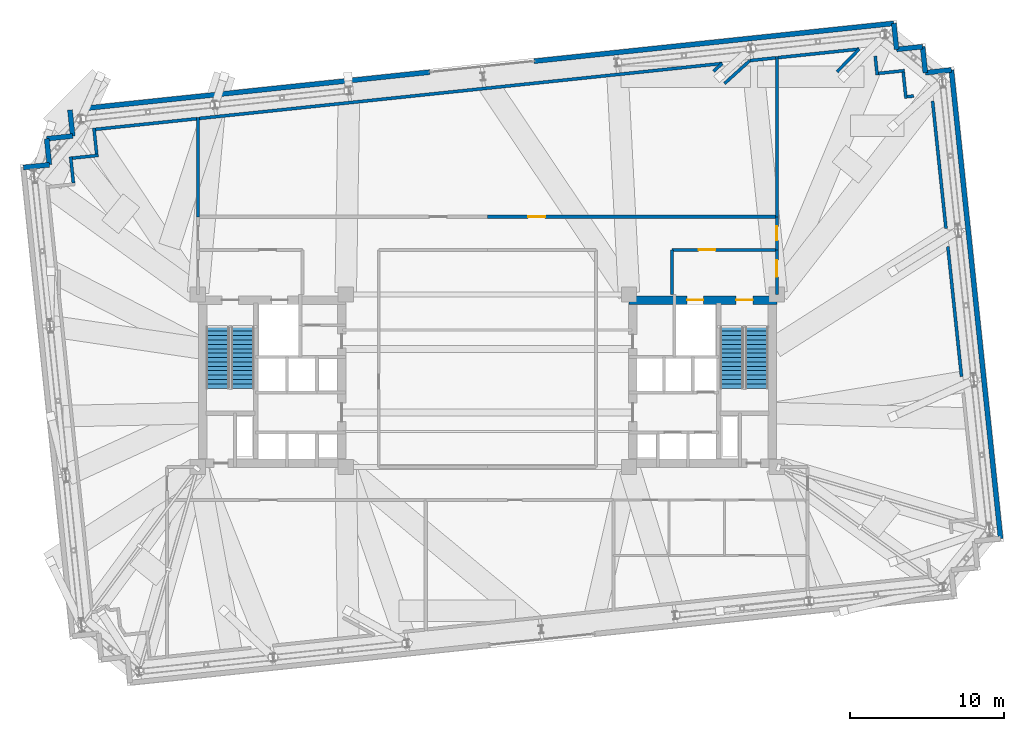
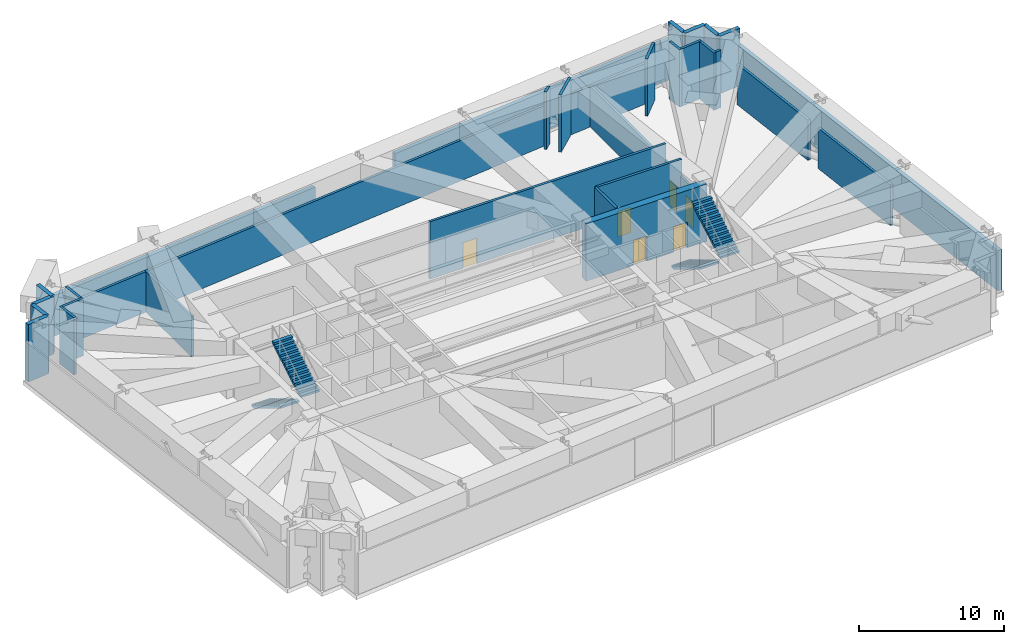
# One storey, part 21 of 23: 35 walls, 6 doors, 4 stair flights, 6 openings, 2 elements without a shape of their own.
"""IFC4 building model written with IfcOpenShell, lengths in metres."""

import ifcopenshell
import ifcopenshell.guid

model = None  # the IFC model being written
_history = None  # IfcOwnerHistory: only IFC2X3 demands one
_inside = {}  # id of a spatial element -> (the spatial element, [elements in it])
_under = {}  # id of a project, library or spatial element -> (it, [spatial elements below it])
_declared = {}  # id of a project -> (the project, [libraries it declares])
_typed = {}  # id of a type object -> (the type object, [elements of that type])
_made_of = {}  # id of a material, layer set ... -> (it, [elements and type objects made of it])


def new_model(schema):
    """Start an empty IFC model of exactly this schema.

    Asked for "IFC4X3", IfcOpenShell would pick the latest addendum, in which some entities
    have other attributes; the version numbers below select the first issue.
    IFC2X3 requires an IfcOwnerHistory on every rooted entity: one is made here for all.
    """
    global model, _history
    if schema == "IFC4X3":
        model = ifcopenshell.file(schema_version=(4, 3, 0, 0))
    else:
        model = ifcopenshell.file(schema=schema)
    _inside.clear()
    _under.clear()
    _declared.clear()
    _typed.clear()
    _made_of.clear()
    _history = None
    if model.schema == "IFC2X3":
        org = make("IfcOrganization", Name="unknown")
        user = make(
            "IfcPersonAndOrganization",
            ThePerson=make("IfcPerson", FamilyName="unknown"),
            TheOrganization=org,
        )
        app = make(
            "IfcApplication",
            ApplicationDeveloper=org,
            Version="unknown",
            ApplicationFullName="unknown",
            ApplicationIdentifier="unknown",
        )
        _history = make(
            "IfcOwnerHistory",
            OwningUser=user,
            OwningApplication=app,
            ChangeAction="ADDED",
            CreationDate=0,
        )
    return model


def make(cls, **values):
    """One entity of the class cls with the attributes given. An attribute that is None is left unset."""
    return model.create_entity(
        cls, **{name: value for name, value in values.items() if value is not None}
    )


def rooted(cls, **values):
    """An entity with a GlobalId (a new one), such as an element, a storey or a relation."""
    return make(cls, GlobalId=ifcopenshell.guid.new(), OwnerHistory=_history, **values)


def si_unit(unit_type, name, prefix=None):
    """IfcSIUnit, for example si_unit("LENGTHUNIT", "METRE", prefix="MILLI")."""
    return make("IfcSIUnit", UnitType=unit_type, Prefix=prefix, Name=name)


def assignment(units):
    """IfcUnitAssignment: the units of a project."""
    return None if units is None else make("IfcUnitAssignment", Units=units)


def point(xyz):
    """IfcCartesianPoint."""
    return None if xyz is None else make("IfcCartesianPoint", Coordinates=xyz)


def direction(xyz):
    """IfcDirection."""
    return None if xyz is None else make("IfcDirection", DirectionRatios=xyz)


def frame(location, z_axis=None, x_axis=None):
    """IfcAxis2Placement3D, a coordinate frame: its origin and axes. An axis left out is left unset."""
    return make(
        "IfcAxis2Placement3D",
        Location=point(location),
        Axis=direction(z_axis),
        RefDirection=direction(x_axis),
    )


def frame_2d(location, x_axis=None):
    """IfcAxis2Placement2D, a coordinate frame in the plane: its origin and x axis."""
    return make(
        "IfcAxis2Placement2D", Location=point(location), RefDirection=direction(x_axis)
    )


def origin():
    """The frame at (0, 0, 0) with its axes left unset."""
    return frame((0.0, 0.0, 0.0))


def place(relative_to, where):
    """IfcLocalPlacement: puts the frame where relative to a parent placement (None: the world)."""
    return make(
        "IfcLocalPlacement", PlacementRelTo=relative_to, RelativePlacement=where
    )


def context(
    kind, dimensions, precision=None, world=None, true_north=None, identifier=None
):
    """IfcGeometricRepresentationContext, for example the 3D "Model" context."""
    return make(
        "IfcGeometricRepresentationContext",
        ContextIdentifier=identifier,
        ContextType=kind,
        CoordinateSpaceDimension=dimensions,
        Precision=precision,
        WorldCoordinateSystem=world,
        TrueNorth=true_north,
    )


def subcontext(parent, identifier, kind, view, scale=None):
    """IfcGeometricRepresentationSubContext, for example "Body" below "Model"."""
    return make(
        "IfcGeometricRepresentationSubContext",
        ContextIdentifier=identifier,
        ContextType=kind,
        ParentContext=parent,
        TargetScale=scale,
        TargetView=view,
    )


def project(units=None, contexts=None):
    """IfcProject with its units and contexts."""
    return rooted(
        "IfcProject",
        Name="project",
        RepresentationContexts=contexts,
        UnitsInContext=assignment(units),
    )


def spatial(cls, under=None, at=None, **own):
    """A site, building, storey or space (cls), placed at a placement, below another one or the project."""
    s = rooted(cls, ObjectPlacement=at, **own)
    if under is not None:
        _under.setdefault(under.id(), (under, []))[1].append(s)
    return s


def polyline(points):
    """IfcPolyline through the points."""
    return make("IfcPolyline", Points=[point(p) for p in points])


def profile(cls, at=None, kind="AREA", **sizes):
    """A parametric profile (cls). Its sizes go by their IFC names, for example OverallWidth=200.0."""
    return make(cls, ProfileType=kind, Position=at, **sizes)


def rectangle(**sizes):
    """IfcRectangleProfileDef."""
    return profile("IfcRectangleProfileDef", **sizes)


def outline(outer, holes=None, kind="AREA"):
    """IfcArbitraryClosedProfileDef: a profile drawn as a closed curve; with holes, ...WithVoids."""
    if holes is None:
        return make("IfcArbitraryClosedProfileDef", ProfileType=kind, OuterCurve=outer)
    return make(
        "IfcArbitraryProfileDefWithVoids",
        ProfileType=kind,
        OuterCurve=outer,
        InnerCurves=holes,
    )


def extrude(swept, where, along, depth):
    """IfcExtrudedAreaSolid: the profile swept, set in the frame where, extruded along a direction by depth."""
    return make(
        "IfcExtrudedAreaSolid",
        SweptArea=swept,
        Position=where,
        ExtrudedDirection=direction(along),
        Depth=depth,
    )


def shape(context_of_items, identifier, shape_type, items):
    """IfcShapeRepresentation: the items that make up one representation, for example the "Body"."""
    return make(
        "IfcShapeRepresentation",
        ContextOfItems=context_of_items,
        RepresentationIdentifier=identifier,
        RepresentationType=shape_type,
        Items=items,
    )


def material(Name=None, Category=None):
    """IfcMaterial."""
    return make("IfcMaterial", Name=Name, Category=Category)


def layer(
    of_material, thickness, ventilated=None, Name=None, Category=None, Priority=None
):
    """IfcMaterialLayer: one layer of a wall or slab, of a material (None: an air gap)."""
    return make(
        "IfcMaterialLayer",
        Material=of_material,
        LayerThickness=thickness,
        IsVentilated=ventilated,
        Name=Name,
        Category=Category,
        Priority=Priority,
    )


def layer_set(layers, Name=None):
    """IfcMaterialLayerSet."""
    return make("IfcMaterialLayerSet", MaterialLayers=layers, LayerSetName=Name)


def made_of(thing, what):
    """Note that an element or type object is made of a material, layer set ...; save() writes the relation."""
    if what is not None:
        _made_of.setdefault(what.id(), (what, []))[1].append(thing)
    return thing


def type_object(cls, material=None, **own):
    """A type object (cls), such as IfcWallType, which elements share."""
    return made_of(rooted(cls, **own), material)


def element(
    cls,
    number,
    at=None,
    inside=None,
    cuts=None,
    type_object=None,
    material=None,
    context=None,
    identifier="Body",
    shape_type=None,
    held_by="IfcProductDefinitionShape",
    body=None,
    shapes=None,
    **own,
):
    """One element of the class cls, such as IfcWall. Its Tag is "e" and its number.

    at: its placement. inside: the storey or other place that contains it. cuts: it is an
    opening in that element (IfcRelVoidsElement). A single representation is given by context,
    identifier, shape_type and body (its items); several are given by shapes. held_by: the class
    of the entity that holds the representations. save() writes the other relations.
    """
    e = rooted(cls, Tag="e%d" % number, ObjectPlacement=at, **own)
    if body is not None:
        shapes = [shape(context, identifier, shape_type, body)]
    if shapes is not None:
        e.Representation = make(held_by, Representations=shapes)
    if inside is not None:
        _inside.setdefault(inside.id(), (inside, []))[1].append(e)
    if cuts is not None:
        rooted(
            "IfcRelVoidsElement", RelatingBuildingElement=cuts, RelatedOpeningElement=e
        )
    if type_object is not None:
        _typed.setdefault(type_object.id(), (type_object, []))[1].append(e)
    return made_of(e, material)


def fill(opening, filler):
    """IfcRelFillsElement: the door or window that sits in an opening."""
    return rooted(
        "IfcRelFillsElement",
        RelatingOpeningElement=opening,
        RelatedBuildingElement=filler,
    )


def aggregate(whole, parts):
    """IfcRelAggregates: a whole, such as a stair, and the parts it consists of."""
    return rooted("IfcRelAggregates", RelatingObject=whole, RelatedObjects=parts)


def save(model, path):
    """Write the relations noted so far, then the file.

    IfcRelAggregates (storeys below a building ...), IfcRelContainedInSpatialStructure (elements
    in a storey), IfcRelDefinesByType, IfcRelAssociatesMaterial and IfcRelDeclares: one each for
    every whole, place, type object, material and project.
    """
    for whole, parts in _under.values():
        aggregate(whole, parts)
    for where, things in _inside.values():
        rooted(
            "IfcRelContainedInSpatialStructure",
            RelatedElements=things,
            RelatingStructure=where,
        )
    for kind, things in _typed.values():
        rooted("IfcRelDefinesByType", RelatedObjects=things, RelatingType=kind)
    for what, things in _made_of.values():
        rooted("IfcRelAssociatesMaterial", RelatedObjects=things, RelatingMaterial=what)
    for by, libraries in _declared.values():
        rooted("IfcRelDeclares", RelatingContext=by, RelatedDefinitions=libraries)
    model.write(path)


model = new_model("IFC4")

# Units and contexts
model_context = context("Model", 3, precision=1e-05, world=origin(), true_north=direction((0.0, 1.0)))
body_context = subcontext(model_context, "Body", "Model", "MODEL_VIEW")
ifc_project = project(units=[si_unit("LENGTHUNIT", "METRE"), si_unit("AREAUNIT", "SQUARE_METRE"), si_unit("VOLUMEUNIT", "CUBIC_METRE"), si_unit("PLANEANGLEUNIT", "RADIAN"), si_unit("MASSUNIT", "GRAM", prefix="KILO")], contexts=[model_context])

# Site, building, storey
site_placement = place(None, origin())
site = spatial("IfcSite", under=ifc_project, at=site_placement, CompositionType="ELEMENT")
building_placement = place(site_placement, origin())
building = spatial("IfcBuilding", under=site, at=building_placement, Name="Qobustan Lattice House", CompositionType="ELEMENT")
storey_placement = place(building_placement, frame((0.0, 0.0, 125.89990234375)))
storey = spatial("IfcBuildingStorey", under=building, at=storey_placement, Name="L35", CompositionType="ELEMENT", Elevation=125.89990234375)

# Wall, openings, doors
ifc_material_1 = material(Name="Concrete C60/75", Category="concrete")
ifc_layer_1 = layer(ifc_material_1, 0.56005859375)
ifc_layer_set_1 = layer_set([ifc_layer_1], Name="Concrete C60/75")
wall_type_1 = type_object("IfcWallType", Name="WAL-CORE-600", PredefinedType="SHEAR", material=ifc_layer_set_1)
wall_1_placement = place(storey_placement, frame((9.199951171875, 5.239990234375, 0.0), z_axis=(0.0, 0.0, 1.0), x_axis=(1.0, 0.0, 0.0)))
wall_1 = element("IfcWall", 1, at=wall_1_placement, inside=storey, type_object=wall_type_1, Name="L35 split-core shear wall CE-N", PredefinedType="SHEAR", context=body_context, shape_type="SweptSolid", body=[
    extrude(rectangle(XDim=9.60009765625, YDim=0.56005859375, at=frame_2d((4.800048828125, 0.0))), origin(), (0.0, 0.0, 1.0), 4.820068359375),
])
opening_1_placement = place(wall_1_placement, frame((6.949951171875, 0.0, 0.0)))
opening_1 = element("IfcOpeningElement", 2, at=opening_1_placement, cuts=wall_1, Name="Opening SD-01", PredefinedType="OPENING", context=body_context, shape_type="SweptSolid", body=[
    extrude(rectangle(XDim=1.10009765625, YDim=2.14990234375, at=frame_2d((0.550048828125, 1.074951171875))), frame((0.0, 0.2900390625, 0.0), z_axis=(0.0, -1.0, 0.0), x_axis=(1.0, 0.0, 0.0)), (0.0, 0.0, 1.0), 0.580078125),
])
opening_2_placement = place(wall_1_placement, frame((3.77490234375, 0.0, 0.0)))
opening_2 = element("IfcOpeningElement", 3, at=opening_2_placement, cuts=wall_1, Name="Opening LD-01", PredefinedType="OPENING", context=body_context, shape_type="SweptSolid", body=[
    extrude(rectangle(XDim=1.050048828125, YDim=2.10009765625, at=frame_2d((0.52490234375, 1.050048828125))), frame((0.0, 0.2900390625, 0.0), z_axis=(0.0, -1.0, 0.0), x_axis=(1.0, 0.0, 0.0)), (0.0, 0.0, 1.0), 0.580078125),
])
ifc_material_2 = material(Name="Persian walnut timber and steel frame door", Category="steel")
door_type_1 = type_object("IfcDoorType", Name="DOR-LIFT-LD-1050x2100", OperationType="NOTDEFINED", PredefinedType="DOOR", material=ifc_material_2)
door_1_placement = place(opening_2_placement, origin())
door_1 = element("IfcDoor", 4, at=door_1_placement, inside=storey, type_object=door_type_1, Name="L35 firefighting lift FF-E landing door", OperationType="DOUBLE_DOOR_SLIDING", OverallHeight=2.10009765625, OverallWidth=1.050048828125, PredefinedType="DOOR", context=body_context, shape_type="SweptSolid", body=[
    extrude(rectangle(XDim=1.050048828125, YDim=2.10009765625, at=frame_2d((0.52490234375, 1.050048828125))), frame((0.0, 0.02490234375, 0.0), z_axis=(0.0, -1.0, 0.0), x_axis=(1.0, 0.0, 0.0)), (0.0, 0.0, 1.0), 0.050048828125),
])
fill(opening_2, door_1)
ifc_material_3 = material(Name="Persian walnut timber and steel frame door", Category="steel")
door_type_2 = type_object("IfcDoorType", Name="DOR-STAIR-FD-1100x2150", OperationType="NOTDEFINED", PredefinedType="DOOR", material=ifc_material_3)
door_2_placement = place(opening_1_placement, origin())
door_2 = element("IfcDoor", 5, at=door_2_placement, inside=storey, type_object=door_type_2, Name="L35 exit stair ST-E1 fire door", OperationType="SINGLE_SWING_LEFT", OverallHeight=2.14990234375, OverallWidth=1.10009765625, PredefinedType="DOOR", context=body_context, shape_type="SweptSolid", body=[
    extrude(rectangle(XDim=1.10009765625, YDim=2.14990234375, at=frame_2d((0.550048828125, 1.074951171875))), frame((0.0, 0.02490234375, 0.0), z_axis=(0.0, -1.0, 0.0), x_axis=(1.0, 0.0, 0.0)), (0.0, 0.0, 1.0), 0.050048828125),
])
fill(opening_1, door_2)

# Walls
ifc_material_4 = material(Name="Precast concrete C40/50", Category="concrete")
ifc_layer_2 = layer(ifc_material_4, 0.320068359375)
ifc_layer_set_2 = layer_set([ifc_layer_2], Name="Precast concrete C40/50")
wall_type_2 = type_object("IfcWallType", Name="WAL-EXT-STONE-320", PredefinedType="SOLIDWALL", material=ifc_layer_set_2)
for number, where, z_axis, x_axis, name in (
    (6, (-30.13330078125, 13.84912109375, 0.0), (0.0, 0.0, 1.0), (0.994534530939, 0.104408173862, 0.0), "L35 exterior limestone-clad wall 6"),
    (7, (-28.442626953125, 14.026611328125, 0.0), (0.0, 0.0, 1.0), (-0.104550220202, 0.994519608382, 0.0), "L35 exterior limestone-clad wall 7"),
    (8, (-28.620361328125, 15.71728515625, 0.0), (0.0, 0.0, 1.0), (0.994519608382, 0.104550220202, 0.0), "L35 exterior limestone-clad wall 8"),
    (9, (-26.9296875, 15.89501953125, 0.0), (0.0, 0.0, 1.0), (-0.104550220202, 0.994519608382, 0.0), "L35 exterior limestone-clad wall 9"),
):
    element("IfcWall", number, at=place(storey_placement, frame(where, z_axis=z_axis, x_axis=x_axis)), inside=storey, type_object=wall_type_2, Name=name, PredefinedType="SOLIDWALL", context=body_context, shape_type="SweptSolid", body=[
        extrude(rectangle(XDim=1.699951171875, YDim=0.320068359375, at=frame_2d((0.85009765625, 0.0))), origin(), (0.0, 0.0, 1.0), 4.820068359375),
    ])
for number, where, z_axis, x_axis, name in (
    (10, (-27.107421875, 17.585693359375, 0.0), (0.0, 0.0, 1.0), (0.994522460554, 0.104523085749, 0.0), "L35 exterior stone wall 10A"),
    (11, (3.026611328125, 20.7529296875, 0.0), (0.0, 0.0, 1.0), (0.994521380566, 0.104533361168, 0.0), "L35 exterior stone wall 10B"),
):
    element("IfcWall", number, at=place(storey_placement, frame(where, z_axis=z_axis, x_axis=x_axis)), inside=storey, type_object=wall_type_2, Name=name, PredefinedType="SOLIDWALL", context=body_context, shape_type="SweptSolid", body=[
        extrude(rectangle(XDim=23.5, YDim=0.320068359375, at=frame_2d((11.75, 0.0))), origin(), (0.0, 0.0, 1.0), 3.405029296875),
    ])
for number, where, z_axis, x_axis, name in (
    (12, (26.39794921875, 23.20947265625, 0.0), (0.0, 0.0, 1.0), (0.104550220202, -0.994519608382, 0.0), "L35 exterior limestone-clad wall 11"),
    (13, (26.57568359375, 21.518798828125, 0.0), (0.0, 0.0, 1.0), (0.994534530939, 0.104408173862, 0.0), "L35 exterior limestone-clad wall 12"),
    (14, (28.266357421875, 21.6962890625, 0.0), (0.0, 0.0, 1.0), (0.104550220202, -0.994519608382, 0.0), "L35 exterior limestone-clad wall 13"),
    (15, (28.444091796875, 20.005615234375, 0.0), (0.0, 0.0, 1.0), (0.994519608382, 0.104550220202, 0.0), "L35 exterior limestone-clad wall 14"),
):
    element("IfcWall", number, at=place(storey_placement, frame(where, z_axis=z_axis, x_axis=x_axis)), inside=storey, type_object=wall_type_2, Name=name, PredefinedType="SOLIDWALL", context=body_context, shape_type="SweptSolid", body=[
        extrude(rectangle(XDim=1.699951171875, YDim=0.320068359375, at=frame_2d((0.85009765625, 0.0))), origin(), (0.0, 0.0, 1.0), 4.820068359375),
    ])
wall_2_placement = place(storey_placement, frame((30.134765625, 20.183349609375, 0.0), z_axis=(0.0, 0.0, 1.0), x_axis=(0.104525716865, -0.994522184023, 0.0)))
element("IfcWall", 16, at=wall_2_placement, inside=storey, type_object=wall_type_2, Name="L35 exterior limestone-clad wall 15", PredefinedType="SOLIDWALL", context=body_context, shape_type="SweptSolid", body=[
    extrude(rectangle(XDim=30.60009765625, YDim=0.320068359375, at=frame_2d((15.300048828125, 0.0))), origin(), (0.0, 0.0, 1.0), 3.405029296875),
])
ifc_material_5 = material(Name="Two-hour gypsum fireboard acoustic partition", Category="gypsum")
ifc_layer_3 = layer(ifc_material_5, 0.199951171875)
ifc_layer_set_3 = layer_set([ifc_layer_3], Name="Two-hour gypsum fireboard acoustic partition")
wall_type_3 = type_object("IfcWallType", Name="WAL-PROT-200", PredefinedType="PARTITIONING", material=ifc_layer_set_3)
wall_3_placement = place(storey_placement, frame((-26.885498046875, 12.845947265625, 0.0), z_axis=(0.0, 0.0, 1.0), x_axis=(-0.104669938261, 0.994507015573, 0.0)))
element("IfcWall", 17, at=wall_3_placement, inside=storey, type_object=wall_type_3, Name="L35 perimeter belt-truss plenum enclosure wall 8", PredefinedType="PARTITIONING", context=body_context, shape_type="SweptSolid", body=[
    extrude(rectangle(XDim=1.712158203125, YDim=0.199951171875, at=frame_2d((0.85595703125, 0.0))), origin(), (0.0, 0.0, 1.0), 4.820068359375),
])
for number, where, z_axis, x_axis, name in (
    (18, (-26.966552734375, 14.45849609375, 0.0), (0.0, 0.0, 1.0), (0.994521849957, 0.104528895328, 0.0), "L35 perimeter belt-truss plenum enclosure wall 9"),
    (19, (-25.37255859375, 14.71435546875, 0.0), (0.0, 0.0, 1.0), (-0.104528895328, 0.994521849957, 0.0), "L35 perimeter belt-truss plenum enclosure wall 10"),
):
    element("IfcWall", number, at=place(storey_placement, frame(where, z_axis=z_axis, x_axis=x_axis)), inside=storey, type_object=wall_type_3, Name=name, PredefinedType="PARTITIONING", context=body_context, shape_type="SweptSolid", body=[
        extrude(rectangle(XDim=1.7119140625, YDim=0.199951171875, at=frame_2d((0.85595703125, 0.0))), origin(), (0.0, 0.0, 1.0), 4.820068359375),
    ])
wall_4_placement = place(storey_placement, frame((-25.45361328125, 16.32666015625, 0.0), z_axis=(0.0, 0.0, 1.0), x_axis=(0.99452242761, 0.104523399205, 0.0)))
element("IfcWall", 20, at=wall_4_placement, inside=storey, type_object=wall_type_3, Name="L35 perimeter belt-truss plenum enclosure wall 11", PredefinedType="PARTITIONING", context=body_context, shape_type="SweptSolid", body=[
    extrude(rectangle(XDim=6.61474609375, YDim=0.199951171875, at=frame_2d((3.307373046875, 0.0))), origin(), (0.0, 0.0, 1.0), 3.405029296875),
])
wall_5_placement = place(storey_placement, frame((-18.72509765625, 17.033935546875, 0.0), z_axis=(0.0, 0.0, 1.0), x_axis=(0.994522280699, 0.104524797029, 0.0)))
element("IfcWall", 21, at=wall_5_placement, inside=storey, type_object=wall_type_3, Name="L35 perimeter belt-truss plenum enclosure wall 23", PredefinedType="PARTITIONING", context=body_context, shape_type="SweptSolid", body=[
    extrude(rectangle(XDim=34.157470703125, YDim=0.199951171875, at=frame_2d((17.07861328125, 0.0))), origin(), (0.0, 0.0, 1.0), 3.405029296875),
])
wall_6_placement = place(storey_placement, frame((15.245361328125, 20.604248046875, 0.0), z_axis=(0.0, 0.0, 1.0), x_axis=(-0.740480016807, -0.67207837691, 0.0)))
element("IfcWall", 22, at=wall_6_placement, inside=storey, type_object=wall_type_3, Name="L35 perimeter belt-truss plenum enclosure wall 24", PredefinedType="PARTITIONING", context=body_context, shape_type="SweptSolid", body=[
    extrude(rectangle(XDim=0.756591796875, YDim=0.199951171875, at=frame_2d((0.37841796875, 0.0))), origin(), (0.0, 0.0, 1.0), 4.820068359375),
])
wall_7_placement = place(storey_placement, frame((15.40380859375, 19.303466796875, 0.0), z_axis=(0.0, 0.0, 1.0), x_axis=(0.740617112545, 0.671927297113, 0.0)))
element("IfcWall", 23, at=wall_7_placement, inside=storey, type_object=wall_type_3, Name="L35 perimeter belt-truss plenum enclosure wall 25", PredefinedType="PARTITIONING", context=body_context, shape_type="SweptSolid", body=[
    extrude(rectangle(XDim=2.2177734375, YDim=0.199951171875, at=frame_2d((1.10888671875, 0.0))), origin(), (0.0, 0.0, 1.0), 4.820068359375),
])
wall_8_placement = place(storey_placement, frame((17.04638671875, 20.793701171875, 0.0), z_axis=(0.0, 0.0, 1.0), x_axis=(0.994517334402, 0.104571848862, 0.0)))
element("IfcWall", 24, at=wall_8_placement, inside=storey, type_object=wall_type_3, Name="L35 perimeter belt-truss plenum enclosure wall 26", PredefinedType="PARTITIONING", context=body_context, shape_type="SweptSolid", body=[
    extrude(rectangle(XDim=1.68798828125, YDim=0.199951171875, at=frame_2d((0.843994140625, 0.0))), origin(), (0.0, 0.0, 1.0), 3.405029296875),
])
wall_9_placement = place(storey_placement, frame((27.00732421875, 20.042724609375, 0.0), z_axis=(0.0, 0.0, 1.0), x_axis=(0.104528895328, -0.994521849957, 0.0)))
element("IfcWall", 25, at=wall_9_placement, inside=storey, type_object=wall_type_3, Name="L35 perimeter belt-truss plenum enclosure wall 28", PredefinedType="PARTITIONING", context=body_context, shape_type="SweptSolid", body=[
    extrude(rectangle(XDim=1.7119140625, YDim=0.199951171875, at=frame_2d((0.85595703125, 0.0))), origin(), (0.0, 0.0, 1.0), 4.820068359375),
])
wall_10_placement = place(storey_placement, frame((27.26318359375, 18.44873046875, 0.0), z_axis=(0.0, 0.0, 1.0), x_axis=(0.994511682582, 0.104625585818, 0.0)))
element("IfcWall", 26, at=wall_10_placement, inside=storey, type_object=wall_type_3, Name="L35 perimeter belt-truss plenum enclosure wall 29", PredefinedType="PARTITIONING", context=body_context, shape_type="SweptSolid", body=[
    extrude(rectangle(XDim=0.429443359375, YDim=0.199951171875, at=frame_2d((0.21484375, 0.0))), origin(), (0.0, 0.0, 1.0), 4.820068359375),
])
wall_11_placement = place(storey_placement, frame((28.914306640625, 18.1611328125, 0.0), z_axis=(0.0, 0.0, 1.0), x_axis=(0.104548765134, -0.994519761347, 0.0)))
element("IfcWall", 27, at=wall_11_placement, inside=storey, type_object=wall_type_3, Name="L35 perimeter belt-truss plenum enclosure wall 30", PredefinedType="PARTITIONING", context=body_context, shape_type="SweptSolid", body=[
    extrude(rectangle(XDim=8.315673828125, YDim=0.199951171875, at=frame_2d((4.15771484375, 0.0))), origin(), (0.0, 0.0, 1.0), 3.405029296875),
])
wall_12_placement = place(storey_placement, frame((29.907958984375, 8.70751953125, 0.0), z_axis=(0.0, 0.0, 1.0), x_axis=(0.104524533411, -0.994522308405, 0.0)))
element("IfcWall", 28, at=wall_12_placement, inside=storey, type_object=wall_type_3, Name="L35 perimeter belt-truss plenum enclosure wall 31", PredefinedType="PARTITIONING", context=body_context, shape_type="SweptSolid", body=[
    extrude(rectangle(XDim=8.485595703125, YDim=0.199951171875, at=frame_2d((4.24267578125, 0.0))), origin(), (0.0, 0.0, 1.0), 3.405029296875),
])
wall_13_placement = place(storey_placement, frame((18.875, 20.98583984375, 0.0), z_axis=(0.0, 0.0, 1.0), x_axis=(0.994524121189, 0.104507283828, 0.0)))
element("IfcWall", 29, at=wall_13_placement, inside=storey, type_object=wall_type_3, Name="L35 perimeter belt-truss plenum enclosure wall 37", PredefinedType="PARTITIONING", context=body_context, shape_type="SweptSolid", body=[
    extrude(rectangle(XDim=5.29833984375, YDim=0.199951171875, at=frame_2d((2.649169921875, 0.0))), origin(), (0.0, 0.0, 1.0), 3.405029296875),
])
wall_14_placement = place(storey_placement, frame((24.144287109375, 21.53955078125, 0.0), z_axis=(0.0, 0.0, 1.0), x_axis=(-0.697219447593, -0.716857755694, 0.0)))
element("IfcWall", 30, at=wall_14_placement, inside=storey, type_object=wall_type_3, Name="L35 perimeter belt-truss plenum enclosure wall 38", PredefinedType="PARTITIONING", context=body_context, shape_type="SweptSolid", body=[
    extrude(rectangle(XDim=2.05126953125, YDim=0.199951171875, at=frame_2d((1.025634765625, 0.0))), origin(), (0.0, 0.0, 1.0), 4.820068359375),
])
wall_15_placement = place(storey_placement, frame((25.18896484375, 21.079345703125, 0.0), z_axis=(0.0, 0.0, 1.0), x_axis=(0.104736315827, -0.994500027223, 0.0)))
element("IfcWall", 31, at=wall_15_placement, inside=storey, type_object=wall_type_3, Name="L35 perimeter belt-truss plenum enclosure wall 39", PredefinedType="PARTITIONING", context=body_context, shape_type="SweptSolid", body=[
    extrude(rectangle(XDim=1.233154296875, YDim=0.199951171875, at=frame_2d((0.61669921875, 0.0))), origin(), (0.0, 0.0, 1.0), 4.820068359375),
])
wall_16_placement = place(storey_placement, frame((25.39501953125, 19.961669921875, 0.0), z_axis=(0.0, 0.0, 1.0), x_axis=(0.994521849957, 0.104528895328, 0.0)))
element("IfcWall", 32, at=wall_16_placement, inside=storey, type_object=wall_type_3, Name="L35 perimeter belt-truss plenum enclosure wall 40", PredefinedType="PARTITIONING", context=body_context, shape_type="SweptSolid", body=[
    extrude(rectangle(XDim=1.7119140625, YDim=0.199951171875, at=frame_2d((0.85595703125, 0.0))), origin(), (0.0, 0.0, 1.0), 4.820068359375),
])

# Wall, opening, door
wall_17_placement = place(storey_placement, frame((18.800048828125, 8.5, 0.0), z_axis=(0.0, 0.0, 1.0), x_axis=(-1.0, 0.0, 0.0)))
wall_17 = element("IfcWall", 33, at=wall_17_placement, inside=storey, type_object=wall_type_3, Name="L35 interior partition 22", PredefinedType="PARTITIONING", context=body_context, shape_type="SweptSolid", body=[
    extrude(rectangle(XDim=6.800048828125, YDim=0.199951171875, at=frame_2d((3.39990234375, 0.0))), origin(), (0.0, 0.0, 1.0), 4.820068359375),
])
opening_3_placement = place(wall_17_placement, frame((3.985107421875, 0.0, 0.0)))
opening_3 = element("IfcOpeningElement", 34, at=opening_3_placement, cuts=wall_17, Name="Opening SD-01", PredefinedType="OPENING", context=body_context, shape_type="SweptSolid", body=[
    extrude(rectangle(XDim=1.10009765625, YDim=2.14990234375, at=frame_2d((0.550048828125, 1.074951171875))), frame((0.0, 0.10986328125, 0.0), z_axis=(0.0, -1.0, 0.0), x_axis=(1.0, 0.0, 0.0)), (0.0, 0.0, 1.0), 0.219970703125),
])
door_3_placement = place(opening_3_placement, origin())
door_3 = element("IfcDoor", 35, at=door_3_placement, inside=storey, type_object=door_type_2, Name="L35 East firefighting lift lobby to North-east mechanical plant corridor door", OperationType="SINGLE_SWING_LEFT", OverallHeight=2.14990234375, OverallWidth=1.10009765625, PredefinedType="DOOR", context=body_context, shape_type="SweptSolid", body=[
    extrude(rectangle(XDim=1.10009765625, YDim=2.14990234375, at=frame_2d((0.550048828125, 1.074951171875))), frame((0.0, 0.02490234375, 0.0), z_axis=(0.0, -1.0, 0.0), x_axis=(1.0, 0.0, 0.0)), (0.0, 0.0, 1.0), 0.050048828125),
])
fill(opening_3, door_3)

# Wall
wall_18_placement = place(storey_placement, frame((12.0, 8.5, 0.0), z_axis=(0.0, 0.0, 1.0), x_axis=(0.0, -1.0, 0.0)))
element("IfcWall", 36, at=wall_18_placement, inside=storey, type_object=wall_type_3, Name="L35 interior partition 23", PredefinedType="PARTITIONING", context=body_context, shape_type="SweptSolid", body=[
    extrude(rectangle(XDim=2.89990234375, YDim=0.199951171875, at=frame_2d((1.449951171875, 0.0))), origin(), (0.0, 0.0, 1.0), 4.820068359375),
])

# Wall, opening, door
wall_19_placement = place(storey_placement, frame((18.800048828125, 5.60009765625, 0.0), z_axis=(0.0, 0.0, 1.0), x_axis=(0.0, 1.0, 0.0)))
wall_19 = element("IfcWall", 37, at=wall_19_placement, inside=storey, type_object=wall_type_3, Name="L35 interior partition 24", PredefinedType="PARTITIONING", context=body_context, shape_type="SweptSolid", body=[
    extrude(rectangle(XDim=2.89990234375, YDim=0.199951171875, at=frame_2d((1.449951171875, 0.0))), origin(), (0.0, 0.0, 1.0), 3.405029296875),
])
opening_4_placement = place(wall_19_placement, frame((1.139892578125, 0.0, 0.0)))
opening_4 = element("IfcOpeningElement", 38, at=opening_4_placement, cuts=wall_19, Name="Opening SD-01", PredefinedType="OPENING", context=body_context, shape_type="SweptSolid", body=[
    extrude(rectangle(XDim=1.10009765625, YDim=2.14990234375, at=frame_2d((0.550048828125, 1.074951171875))), frame((0.0, 0.10986328125, 0.0), z_axis=(0.0, -1.0, 0.0), x_axis=(1.0, 0.0, 0.0)), (0.0, 0.0, 1.0), 0.219970703125),
])
door_4_placement = place(opening_4_placement, origin())
door_4 = element("IfcDoor", 39, at=door_4_placement, inside=storey, type_object=door_type_2, Name="L35 East firefighting lift lobby to East protected refuge area door", OperationType="SINGLE_SWING_RIGHT", OverallHeight=2.14990234375, OverallWidth=1.10009765625, PredefinedType="DOOR", context=body_context, shape_type="SweptSolid", body=[
    extrude(rectangle(XDim=1.10009765625, YDim=2.14990234375, at=frame_2d((0.550048828125, 1.074951171875))), frame((0.0, 0.02490234375, 0.0), z_axis=(0.0, -1.0, 0.0), x_axis=(1.0, 0.0, 0.0)), (0.0, 0.0, 1.0), 0.050048828125),
])
fill(opening_4, door_4)

wall_20_placement = place(storey_placement, frame((18.800048828125, 10.64990234375, 0.0), z_axis=(0.0, 0.0, 1.0), x_axis=(0.0, -1.0, 0.0)))
wall_20 = element("IfcWall", 40, at=wall_20_placement, inside=storey, type_object=wall_type_3, Name="L35 interior partition 40", PredefinedType="PARTITIONING", context=body_context, shape_type="SweptSolid", body=[
    extrude(rectangle(XDim=2.14990234375, YDim=0.199951171875, at=frame_2d((1.074951171875, 0.0))), origin(), (0.0, 0.0, 1.0), 3.405029296875),
])
opening_5_placement = place(wall_20_placement, frame((0.625, 0.0, 0.0)))
opening_5 = element("IfcOpeningElement", 41, at=opening_5_placement, cuts=wall_20, Name="Opening RD-01", PredefinedType="OPENING", context=body_context, shape_type="SweptSolid", body=[
    extrude(rectangle(XDim=0.89990234375, YDim=2.10009765625, at=frame_2d((0.449951171875, 1.050048828125))), frame((0.0, 0.10986328125, 0.0), z_axis=(0.0, -1.0, 0.0), x_axis=(1.0, 0.0, 0.0)), (0.0, 0.0, 1.0), 0.219970703125),
])
ifc_material_6 = material(Name="Persian walnut timber and steel frame door", Category="steel")
door_type_3 = type_object("IfcDoorType", Name="DOR-RISER-FD-900x2100", OperationType="NOTDEFINED", PredefinedType="DOOR", material=ifc_material_6)
door_5_placement = place(opening_5_placement, origin())
door_5 = element("IfcDoor", 42, at=door_5_placement, inside=storey, type_object=door_type_3, Name="L35 North-east mechanical plant corridor to East protected refuge area door", OperationType="SINGLE_SWING_LEFT", OverallHeight=2.10009765625, OverallWidth=0.89990234375, PredefinedType="DOOR", context=body_context, shape_type="SweptSolid", body=[
    extrude(rectangle(XDim=0.89990234375, YDim=2.10009765625, at=frame_2d((0.449951171875, 1.050048828125))), frame((0.0, 0.02490234375, 0.0), z_axis=(0.0, -1.0, 0.0), x_axis=(1.0, 0.0, 0.0)), (0.0, 0.0, 1.0), 0.050048828125),
])
fill(opening_5, door_5)

wall_21_placement = place(storey_placement, frame((0.0, 10.64990234375, 0.0), z_axis=(0.0, 0.0, 1.0), x_axis=(1.0, 0.0, 0.0)))
wall_21 = element("IfcWall", 43, at=wall_21_placement, inside=storey, type_object=wall_type_3, Name="L35 interior partition 41", PredefinedType="PARTITIONING", context=body_context, shape_type="SweptSolid", body=[
    extrude(rectangle(XDim=18.800048828125, YDim=0.199951171875, at=frame_2d((9.39990234375, 0.0))), origin(), (0.0, 0.0, 1.0), 4.820068359375),
])
opening_6_placement = place(wall_21_placement, frame((2.6474609375, 0.0, 0.0)))
opening_6 = element("IfcOpeningElement", 44, at=opening_6_placement, cuts=wall_21, Name="Opening SD-01", PredefinedType="OPENING", context=body_context, shape_type="SweptSolid", body=[
    extrude(rectangle(XDim=1.10009765625, YDim=2.14990234375, at=frame_2d((0.550048828125, 1.074951171875))), frame((0.0, 0.10986328125, 0.0), z_axis=(0.0, -1.0, 0.0), x_axis=(1.0, 0.0, 0.0)), (0.0, 0.0, 1.0), 0.219970703125),
])
door_6_placement = place(opening_6_placement, origin())
door_6 = element("IfcDoor", 45, at=door_6_placement, inside=storey, type_object=door_type_2, Name="L35 North-east mechanical plant corridor to North protected refuge area door", OperationType="SINGLE_SWING_RIGHT", OverallHeight=2.14990234375, OverallWidth=1.10009765625, PredefinedType="DOOR", context=body_context, shape_type="SweptSolid", body=[
    extrude(rectangle(XDim=1.10009765625, YDim=2.14990234375, at=frame_2d((0.550048828125, 1.074951171875))), frame((0.0, 0.02490234375, 0.0), z_axis=(0.0, -1.0, 0.0), x_axis=(1.0, 0.0, 0.0)), (0.0, 0.0, 1.0), 0.050048828125),
])
fill(opening_6, door_6)

# Walls
wall_22_placement = place(storey_placement, frame((-18.800048828125, 17.101318359375, 0.0), z_axis=(0.0, 0.0, 1.0), x_axis=(0.0, -1.0, 0.0)))
element("IfcWall", 46, at=wall_22_placement, inside=storey, type_object=wall_type_3, Name="L35 interior partition 57", PredefinedType="PARTITIONING", context=body_context, shape_type="SweptSolid", body=[
    extrude(rectangle(XDim=6.451416015625, YDim=0.199951171875, at=frame_2d((3.2255859375, 0.0))), origin(), (0.0, 0.0, 1.0), 3.405029296875),
])
wall_23_placement = place(storey_placement, frame((18.800048828125, 10.64990234375, 0.0), z_axis=(0.0, 0.0, 1.0), x_axis=(0.0, 1.0, 0.0)))
element("IfcWall", 47, at=wall_23_placement, inside=storey, type_object=wall_type_3, Name="L35 interior partition 59", PredefinedType="PARTITIONING", context=body_context, shape_type="SweptSolid", body=[
    extrude(rectangle(XDim=10.403564453125, YDim=0.199951171875, at=frame_2d((5.20166015625, 0.0))), origin(), (0.0, 0.0, 1.0), 3.405029296875),
])

# Stair, stair flights
ifc_material_7 = material(Name="Concrete C40/50", Category="concrete")
stair_type = type_object("IfcStairType", Name="STR-CORE-DOGLEG", PredefinedType="HALF_TURN_STAIR", material=ifc_material_7)
stair_1_placement = place(storey_placement, origin())
stair_1 = element("IfcStair", 48, at=stair_1_placement, inside=storey, type_object=stair_type, Name="L35 West protected exit stair ST-W1", PredefinedType="HALF_TURN_STAIR")
ifc_material_8 = material(Name="Concrete C40/50", Category="concrete")
stair_flight_type = type_object("IfcStairFlightType", Name="SFL-RC-1500", PredefinedType="STRAIGHT", material=ifc_material_8)
stair_flight_1_placement = place(storey_placement, frame((-17.5, 3.5, 0.0), z_axis=(0.0, 0.0, 1.0), x_axis=(0.0, -1.0, 0.0)))
stair_flight_1 = element("IfcStairFlight", 49, at=stair_flight_1_placement, type_object=stair_flight_type, Name="ST-W1 flight 1", NumberOfRisers=15, NumberOfTreads=14, PredefinedType="STRAIGHT", RiserHeight=0.17, TreadLength=0.285, context=body_context, shape_type="SweptSolid", body=[
    extrude(outline(polyline([(0.0, 0.0), (0.0, 0.169921875), (0.284912109375, 0.169921875), (0.284912109375, 0.340087890625), (0.570068359375, 0.340087890625), (0.570068359375, 0.510009765625), (0.85498046875, 0.510009765625), (0.85498046875, 0.679931640625), (1.139892578125, 0.679931640625), (1.139892578125, 0.85009765625), (1.425048828125, 0.85009765625), (1.425048828125, 1.02001953125), (1.7099609375, 1.02001953125), (1.7099609375, 1.18994140625), (1.9951171875, 1.18994140625), (1.9951171875, 1.360107421875), (2.280029296875, 1.360107421875), (2.280029296875, 1.530029296875), (2.56494140625, 1.530029296875), (2.56494140625, 1.699951171875), (2.85009765625, 1.699951171875), (2.85009765625, 1.8701171875), (3.135009765625, 1.8701171875), (3.135009765625, 2.0400390625), (3.419921875, 2.0400390625), (3.419921875, 2.2099609375), (3.705078125, 2.2099609375), (3.705078125, 2.3798828125), (3.989990234375, 2.3798828125), (3.989990234375, 2.550048828125), (3.989990234375, 2.20556640625), (0.292724609375, 0.0), (0.0, 0.0)])), frame((0.0, 0.75, 0.0), z_axis=(0.0, -1.0, 0.0), x_axis=(1.0, 0.0, 0.0)), (0.0, 0.0, 1.0), 1.5),
])
stair_flight_2_placement = place(storey_placement, frame((-15.8798828125, -0.489990234375, 2.550048828125), z_axis=(0.0, 0.0, 1.0), x_axis=(0.0, 1.0, 0.0)))
stair_flight_2 = element("IfcStairFlight", 50, at=stair_flight_2_placement, type_object=stair_flight_type, Name="ST-W1 flight 2", NumberOfRisers=15, NumberOfTreads=14, PredefinedType="STRAIGHT", RiserHeight=0.17, TreadLength=0.285, context=body_context, shape_type="SweptSolid", body=[
    extrude(outline(polyline([(0.0, 0.0), (0.0, 0.169921875), (0.284912109375, 0.169921875), (0.284912109375, 0.340087890625), (0.570068359375, 0.340087890625), (0.570068359375, 0.510009765625), (0.85498046875, 0.510009765625), (0.85498046875, 0.679931640625), (1.139892578125, 0.679931640625), (1.139892578125, 0.85009765625), (1.425048828125, 0.85009765625), (1.425048828125, 1.02001953125), (1.7099609375, 1.02001953125), (1.7099609375, 1.18994140625), (1.9951171875, 1.18994140625), (1.9951171875, 1.360107421875), (2.280029296875, 1.360107421875), (2.280029296875, 1.530029296875), (2.56494140625, 1.530029296875), (2.56494140625, 1.699951171875), (2.85009765625, 1.699951171875), (2.85009765625, 1.8701171875), (3.135009765625, 1.8701171875), (3.135009765625, 2.0400390625), (3.419921875, 2.0400390625), (3.419921875, 2.2099609375), (3.705078125, 2.2099609375), (3.705078125, 2.3798828125), (3.989990234375, 2.3798828125), (3.989990234375, 2.550048828125), (3.989990234375, 2.20556640625), (0.292724609375, 0.0), (0.0, 0.0)])), frame((0.0, 0.75, 0.0), z_axis=(0.0, -1.0, 0.0), x_axis=(1.0, 0.0, 0.0)), (0.0, 0.0, 1.0), 1.5),
])
aggregate(stair_1, [stair_flight_1, stair_flight_2])

stair_2_placement = place(storey_placement, origin())
stair_2 = element("IfcStair", 51, at=stair_2_placement, inside=storey, type_object=stair_type, Name="L35 East protected exit stair ST-E1", PredefinedType="HALF_TURN_STAIR")
stair_flight_3_placement = place(storey_placement, frame((15.8798828125, 3.5, 0.0), z_axis=(0.0, 0.0, 1.0), x_axis=(0.0, -1.0, 0.0)))
stair_flight_3 = element("IfcStairFlight", 52, at=stair_flight_3_placement, type_object=stair_flight_type, Name="ST-E1 flight 1", NumberOfRisers=15, NumberOfTreads=14, PredefinedType="STRAIGHT", RiserHeight=0.17, TreadLength=0.285, context=body_context, shape_type="SweptSolid", body=[
    extrude(outline(polyline([(0.0, 0.0), (0.0, 0.169921875), (0.284912109375, 0.169921875), (0.284912109375, 0.340087890625), (0.570068359375, 0.340087890625), (0.570068359375, 0.510009765625), (0.85498046875, 0.510009765625), (0.85498046875, 0.679931640625), (1.139892578125, 0.679931640625), (1.139892578125, 0.85009765625), (1.425048828125, 0.85009765625), (1.425048828125, 1.02001953125), (1.7099609375, 1.02001953125), (1.7099609375, 1.18994140625), (1.9951171875, 1.18994140625), (1.9951171875, 1.360107421875), (2.280029296875, 1.360107421875), (2.280029296875, 1.530029296875), (2.56494140625, 1.530029296875), (2.56494140625, 1.699951171875), (2.85009765625, 1.699951171875), (2.85009765625, 1.8701171875), (3.135009765625, 1.8701171875), (3.135009765625, 2.0400390625), (3.419921875, 2.0400390625), (3.419921875, 2.2099609375), (3.705078125, 2.2099609375), (3.705078125, 2.3798828125), (3.989990234375, 2.3798828125), (3.989990234375, 2.550048828125), (3.989990234375, 2.20556640625), (0.292724609375, 0.0), (0.0, 0.0)])), frame((0.0, 0.75, 0.0), z_axis=(0.0, -1.0, 0.0), x_axis=(1.0, 0.0, 0.0)), (0.0, 0.0, 1.0), 1.5),
])
stair_flight_4_placement = place(storey_placement, frame((17.5, -0.489990234375, 2.550048828125), z_axis=(0.0, 0.0, 1.0), x_axis=(0.0, 1.0, 0.0)))
stair_flight_4 = element("IfcStairFlight", 53, at=stair_flight_4_placement, type_object=stair_flight_type, Name="ST-E1 flight 2", NumberOfRisers=15, NumberOfTreads=14, PredefinedType="STRAIGHT", RiserHeight=0.17, TreadLength=0.285, context=body_context, shape_type="SweptSolid", body=[
    extrude(outline(polyline([(0.0, 0.0), (0.0, 0.169921875), (0.284912109375, 0.169921875), (0.284912109375, 0.340087890625), (0.570068359375, 0.340087890625), (0.570068359375, 0.510009765625), (0.85498046875, 0.510009765625), (0.85498046875, 0.679931640625), (1.139892578125, 0.679931640625), (1.139892578125, 0.85009765625), (1.425048828125, 0.85009765625), (1.425048828125, 1.02001953125), (1.7099609375, 1.02001953125), (1.7099609375, 1.18994140625), (1.9951171875, 1.18994140625), (1.9951171875, 1.360107421875), (2.280029296875, 1.360107421875), (2.280029296875, 1.530029296875), (2.56494140625, 1.530029296875), (2.56494140625, 1.699951171875), (2.85009765625, 1.699951171875), (2.85009765625, 1.8701171875), (3.135009765625, 1.8701171875), (3.135009765625, 2.0400390625), (3.419921875, 2.0400390625), (3.419921875, 2.2099609375), (3.705078125, 2.2099609375), (3.705078125, 2.3798828125), (3.989990234375, 2.3798828125), (3.989990234375, 2.550048828125), (3.989990234375, 2.20556640625), (0.292724609375, 0.0), (0.0, 0.0)])), frame((0.0, 0.75, 0.0), z_axis=(0.0, -1.0, 0.0), x_axis=(1.0, 0.0, 0.0)), (0.0, 0.0, 1.0), 1.5),
])
aggregate(stair_2, [stair_flight_3, stair_flight_4])

save(model, "model.ifc")
